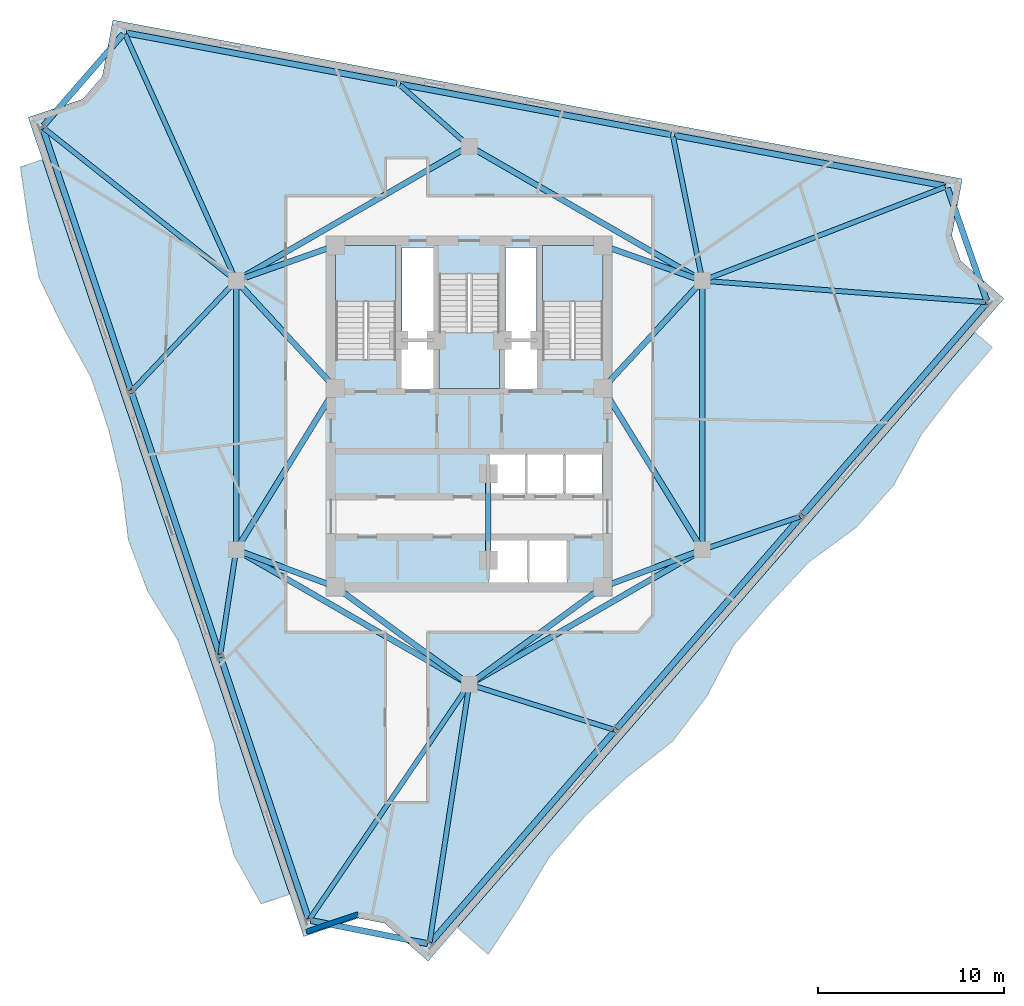
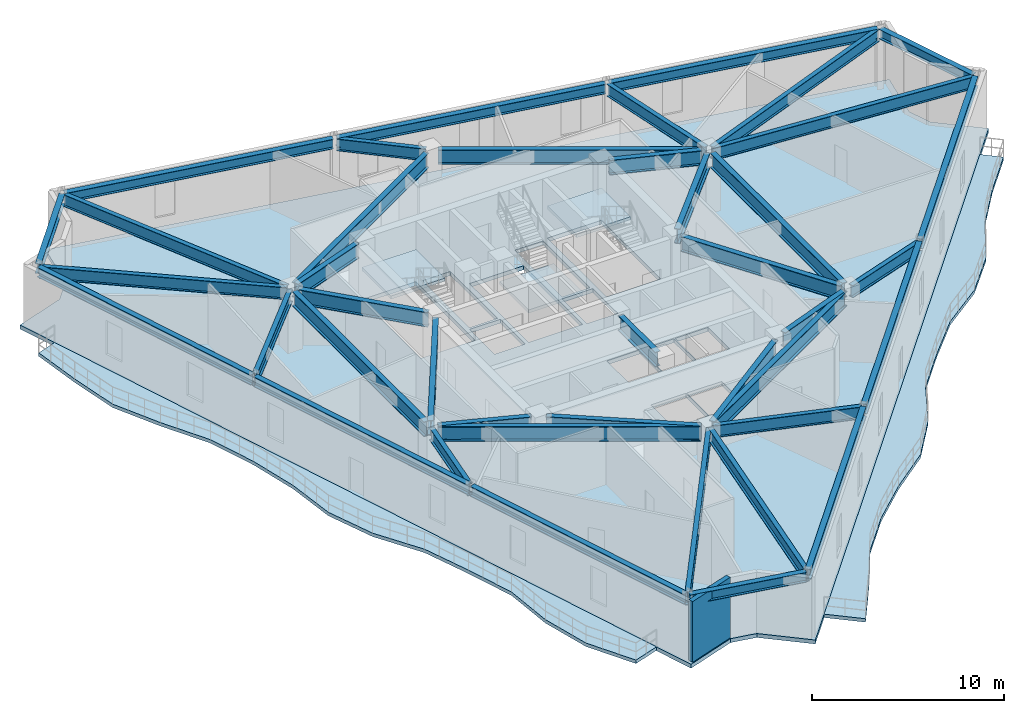
# One storey, part 3 of 10: 41 beams, 6 slabs, 1 wall, 3 elements without a shape of their own.
"""IFC4 building model written with IfcOpenShell, lengths in metres."""

from ifc_helpers import new_model, si_unit, direction, frame, frame_2d, origin, origin_2d, place, context, subcontext, project, spatial, polyline, rectangle, i_section, outline, extrude, material, layer, layer_set, material_profile, profile_set, type_object, element, aggregate, save


model = new_model("IFC4")

# Units and contexts
model_context = context("Model", 3, precision=1e-05, world=origin(), true_north=direction((0.0, 1.0)))
body_context = subcontext(model_context, "Body", "Model", "MODEL_VIEW")
ifc_project = project(units=[si_unit("LENGTHUNIT", "METRE"), si_unit("AREAUNIT", "SQUARE_METRE"), si_unit("VOLUMEUNIT", "CUBIC_METRE"), si_unit("PLANEANGLEUNIT", "RADIAN"), si_unit("MASSUNIT", "GRAM", prefix="KILO")], contexts=[model_context])

# Site, building, storey
site_placement = place(None, origin())
site = spatial("IfcSite", under=ifc_project, at=site_placement, CompositionType="ELEMENT")
building_placement = place(site_placement, origin())
building = spatial("IfcBuilding", under=site, at=building_placement, Name="Apsidion Concourse Tower", CompositionType="ELEMENT")
storey_placement = place(building_placement, frame((0.0, 0.0, 269.60009765625)))
storey = spatial("IfcBuildingStorey", under=building, at=storey_placement, Name="L63", CompositionType="ELEMENT", Elevation=269.60009765625)

# Beams
ifc_material_1 = material(Name="Structural steel ASTM A992 Grade 50", Category="steel")
ifc_material_profile_1 = material_profile(ifc_material_1, i_section(OverallWidth=0.31005859375, OverallDepth=0.931884765625, WebThickness=0.02099609375, FlangeThickness=0.034423828125, at=origin_2d()), Name="W36X210")
ifc_profile_set_1 = profile_set([ifc_material_profile_1], Name="Structural steel ASTM A992 Grade 50")
beam_type_1 = type_object("IfcBeamType", Name="BM-G-W36", PredefinedType="USERDEFINED", material=ifc_profile_set_1)
beam_1_placement = place(storey_placement, frame((-12.185302734375, -7.389892578125, 3.3837890625), z_axis=(0.936913021145, -0.349562570664, 0.0), x_axis=(0.349562570664, 0.936913021145, 0.0)))
element("IfcBeam", 1, at=beam_1_placement, inside=storey, type_object=beam_type_1, Name="L63 Core Coupling Girder IC1-SC1", ObjectType="GIRDER", PredefinedType="USERDEFINED", context=body_context, shape_type="SweptSolid", body=[
    extrude(i_section(OverallWidth=0.31005859375, OverallDepth=0.931884765625, WebThickness=0.02099609375, FlangeThickness=0.034423828125, at=origin_2d()), origin(), (0.0, 0.0, 1.0), 4.921142578125),
])
beam_2_placement = place(storey_placement, frame((-12.35009765625, -6.909423828125, 3.3837890625), z_axis=(0.524524009763, 0.851395656074, 0.0), x_axis=(-0.851395656074, 0.524524009763, 0.0)))
element("IfcBeam", 2, at=beam_2_placement, inside=storey, type_object=beam_type_1, Name="L63 Core Coupling Girder IC1-SC6", ObjectType="GIRDER", PredefinedType="USERDEFINED", context=body_context, shape_type="SweptSolid", body=[
    extrude(i_section(OverallWidth=0.31005859375, OverallDepth=0.931884765625, WebThickness=0.02099609375, FlangeThickness=0.034423828125, at=origin_2d()), origin(), (0.0, 0.0, 1.0), 9.41845703125),
])
beam_3_placement = place(storey_placement, frame((12.185302734375, -7.389892578125, 3.3837890625), z_axis=(-0.936913021145, -0.349562570664, 0.0), x_axis=(0.349562570664, -0.936913021145, 0.0)))
element("IfcBeam", 3, at=beam_3_placement, inside=storey, type_object=beam_type_1, Name="L63 Core Coupling Girder IC2-SC2", ObjectType="GIRDER", PredefinedType="USERDEFINED", context=body_context, shape_type="SweptSolid", body=[
    extrude(i_section(OverallWidth=0.31005859375, OverallDepth=0.931884765625, WebThickness=0.02099609375, FlangeThickness=0.034423828125, at=origin_2d()), origin(), (0.0, 0.0, 1.0), 4.921142578125),
])
beam_4_placement = place(storey_placement, frame((12.35009765625, -6.909423828125, 3.3837890625), z_axis=(-0.524524009763, 0.851395656074, 0.0), x_axis=(-0.851395656074, -0.524524009763, 0.0)))
element("IfcBeam", 4, at=beam_4_placement, inside=storey, type_object=beam_type_1, Name="L63 Core Coupling Girder IC2-SC3", ObjectType="GIRDER", PredefinedType="USERDEFINED", context=body_context, shape_type="SweptSolid", body=[
    extrude(i_section(OverallWidth=0.31005859375, OverallDepth=0.931884765625, WebThickness=0.02099609375, FlangeThickness=0.034423828125, at=origin_2d()), origin(), (0.0, 0.0, 1.0), 9.41845703125),
])
beam_5_placement = place(storey_placement, frame((12.28857421875, 6.956298828125, 3.3837890625), z_axis=(-0.678712876106, -0.73440372535, 0.0), x_axis=(0.73440372535, -0.678712876106, 0.0)))
element("IfcBeam", 5, at=beam_5_placement, inside=storey, type_object=beam_type_1, Name="L63 Core Coupling Girder IC3-SC3", ObjectType="GIRDER", PredefinedType="USERDEFINED", context=body_context, shape_type="SweptSolid", body=[
    extrude(i_section(OverallWidth=0.31005859375, OverallDepth=0.931884765625, WebThickness=0.02099609375, FlangeThickness=0.034423828125, at=origin_2d()), origin(), (0.0, 0.0, 1.0), 7.097412109375),
])
beam_6_placement = place(storey_placement, frame((12.18310546875, 7.383544921875, 3.3837890625), z_axis=(-0.942533844539, 0.334110688094, 0.0), x_axis=(-0.334110688094, -0.942533844539, 0.0)))
element("IfcBeam", 6, at=beam_6_placement, inside=storey, type_object=beam_type_1, Name="L63 Core Coupling Girder IC3-SC4", ObjectType="GIRDER", PredefinedType="USERDEFINED", context=body_context, shape_type="SweptSolid", body=[
    extrude(i_section(OverallWidth=0.31005859375, OverallDepth=0.931884765625, WebThickness=0.02099609375, FlangeThickness=0.034423828125, at=origin_2d()), origin(), (0.0, 0.0, 1.0), 4.886962890625),
])
beam_7_placement = place(storey_placement, frame((-12.28857421875, 6.956298828125, 3.3837890625), z_axis=(0.678712876106, -0.73440372535, 0.0), x_axis=(0.73440372535, 0.678712876106, 0.0)))
element("IfcBeam", 7, at=beam_7_placement, inside=storey, type_object=beam_type_1, Name="L63 Core Coupling Girder IC5-SC6", ObjectType="GIRDER", PredefinedType="USERDEFINED", context=body_context, shape_type="SweptSolid", body=[
    extrude(i_section(OverallWidth=0.31005859375, OverallDepth=0.931884765625, WebThickness=0.02099609375, FlangeThickness=0.034423828125, at=origin_2d()), origin(), (0.0, 0.0, 1.0), 7.097412109375),
])
beam_8_placement = place(storey_placement, frame((-12.18310546875, 7.383544921875, 3.3837890625), z_axis=(0.942533844539, 0.334110688094, 0.0), x_axis=(-0.334110688094, 0.942533844539, 0.0)))
element("IfcBeam", 8, at=beam_8_placement, inside=storey, type_object=beam_type_1, Name="L63 Core Coupling Girder IC5-SC5", ObjectType="GIRDER", PredefinedType="USERDEFINED", context=body_context, shape_type="SweptSolid", body=[
    extrude(i_section(OverallWidth=0.31005859375, OverallDepth=0.931884765625, WebThickness=0.02099609375, FlangeThickness=0.034423828125, at=origin_2d()), origin(), (0.0, 0.0, 1.0), 4.886962890625),
])
for number, where, z_axis, x_axis, name in (
    (9, (-0.3232421875, -14.264404296875, 3.3837890625), (-0.807993498909, 0.589191399905, 0.0), (-0.589191399905, -0.807993498909, 0.0), "L63 Core Coupling Girder IC6-SC1"),
    (10, (0.3232421875, -14.264404296875, 3.3837890625), (0.807993498909, 0.589191399905, 0.0), (-0.589191399905, 0.807993498909, 0.0), "L63 Core Coupling Girder IC6-SC2"),
):
    element("IfcBeam", number, at=place(storey_placement, frame(where, z_axis=z_axis, x_axis=x_axis)), inside=storey, type_object=beam_type_1, Name=name, ObjectType="GIRDER", PredefinedType="USERDEFINED", context=body_context, shape_type="SweptSolid", body=[
        extrude(i_section(OverallWidth=0.31005859375, OverallDepth=0.931884765625, WebThickness=0.02099609375, FlangeThickness=0.034423828125, at=origin_2d()), origin(), (0.0, 0.0, 1.0), 8.11083984375),
    ])
beam_9_placement = place(storey_placement, frame((-12.56005859375, -6.85009765625, 3.3837890625), z_axis=(0.0, 1.0, 0.0), x_axis=(-1.0, 0.0, 0.0)))
element("IfcBeam", 11, at=beam_9_placement, inside=storey, type_object=beam_type_1, Name="L63 Core Coupling Girder IC1-IC5", ObjectType="GIRDER", PredefinedType="USERDEFINED", context=body_context, shape_type="SweptSolid", body=[
    extrude(i_section(OverallWidth=0.31005859375, OverallDepth=0.931884765625, WebThickness=0.02099609375, FlangeThickness=0.034423828125, at=origin_2d()), origin(), (0.0, 0.0, 1.0), 13.7001953125),
])
for number, where, z_axis, x_axis, name in (
    (12, (-12.213623046875, 7.449951171875, 3.3837890625), (0.866070471464, 0.499921932364, 0.0), (-0.499921932364, 0.866070471464, 0.0), "L63 Core Coupling Girder IC5-IC4"),
    (13, (0.346435546875, 14.300048828125, 3.3837890625), (0.866070471464, -0.499921932364, 0.0), (0.499921932364, 0.866070471464, 0.0), "L63 Core Coupling Girder IC4-IC3"),
):
    element("IfcBeam", number, at=place(storey_placement, frame(where, z_axis=z_axis, x_axis=x_axis)), inside=storey, type_object=beam_type_1, Name=name, ObjectType="GIRDER", PredefinedType="USERDEFINED", context=body_context, shape_type="SweptSolid", body=[
        extrude(i_section(OverallWidth=0.31005859375, OverallDepth=0.931884765625, WebThickness=0.02099609375, FlangeThickness=0.034423828125, at=origin_2d()), origin(), (0.0, 0.0, 1.0), 13.702392578125),
    ])
beam_10_placement = place(storey_placement, frame((12.56005859375, 6.85009765625, 3.3837890625), z_axis=(0.0, -1.0, 0.0), x_axis=(1.0, 0.0, 0.0)))
element("IfcBeam", 14, at=beam_10_placement, inside=storey, type_object=beam_type_1, Name="L63 Core Coupling Girder IC3-IC2", ObjectType="GIRDER", PredefinedType="USERDEFINED", context=body_context, shape_type="SweptSolid", body=[
    extrude(i_section(OverallWidth=0.31005859375, OverallDepth=0.931884765625, WebThickness=0.02099609375, FlangeThickness=0.034423828125, at=origin_2d()), origin(), (0.0, 0.0, 1.0), 13.7001953125),
])
for number, where, z_axis, x_axis, name in (
    (15, (12.213623046875, -7.449951171875, 3.3837890625), (-0.866070471464, -0.499921932364, 0.0), (0.499921932364, -0.866070471464, 0.0), "L63 Core Coupling Girder IC2-IC6"),
    (16, (-0.346435546875, -14.300048828125, 3.3837890625), (-0.866070471464, 0.499921932364, 0.0), (-0.499921932364, -0.866070471464, 0.0), "L63 Core Coupling Girder IC6-IC1"),
):
    element("IfcBeam", number, at=place(storey_placement, frame(where, z_axis=z_axis, x_axis=x_axis)), inside=storey, type_object=beam_type_1, Name=name, ObjectType="GIRDER", PredefinedType="USERDEFINED", context=body_context, shape_type="SweptSolid", body=[
        extrude(i_section(OverallWidth=0.31005859375, OverallDepth=0.931884765625, WebThickness=0.02099609375, FlangeThickness=0.034423828125, at=origin_2d()), origin(), (0.0, 0.0, 1.0), 13.702392578125),
    ])
beam_11_placement = place(storey_placement, frame((1.02490234375, -3.550048828125, 3.3837890625), z_axis=(0.0, -1.0, 0.0), x_axis=(1.0, 0.0, 0.0)))
element("IfcBeam", 17, at=beam_11_placement, inside=storey, type_object=beam_type_1, Name="L63 Core Coupling Girder CC5-CC6", ObjectType="GIRDER", PredefinedType="USERDEFINED", context=body_context, shape_type="SweptSolid", body=[
    extrude(i_section(OverallWidth=0.31005859375, OverallDepth=0.931884765625, WebThickness=0.02099609375, FlangeThickness=0.034423828125, at=origin_2d()), origin(), (0.0, 0.0, 1.0), 3.849853515625),
])
ifc_material_profile_2 = material_profile(ifc_material_1, i_section(OverallWidth=0.324951171875, OverallDepth=0.616943359375, WebThickness=0.013916015625, FlangeThickness=0.021484375, at=origin_2d()), Name="W24X117")
ifc_profile_set_2 = profile_set([ifc_material_profile_2], Name="Structural steel ASTM A992 Grade 50")
beam_type_2 = type_object("IfcBeamType", Name="BM-SP-W24", PredefinedType="SPANDREL", material=ifc_profile_set_2)
for number, where, z_axis, x_axis, name in (
    (18, (-22.97265625, 15.436279296875, 3.54150390625), (0.318681523158, -0.947861850059, 0.0), (0.947861850059, 0.318681523158, 0.0), "L63 Perimeter Spandrel Girder SP-01"),
    (19, (-18.18310546875, 1.191162109375, 3.54150390625), (0.318661757859, -0.94786849514, 0.0), (0.94786849514, 0.318661757859, 0.0), "L63 Perimeter Spandrel Girder SP-02"),
    (20, (-13.393798828125, -13.05419921875, 3.54150390625), (0.318681523158, -0.947861850059, 0.0), (0.947861850059, 0.318681523158, 0.0), "L63 Perimeter Spandrel Girder SP-03"),
):
    element("IfcBeam", number, at=place(storey_placement, frame(where, z_axis=z_axis, x_axis=x_axis)), inside=storey, type_object=beam_type_2, Name=name, PredefinedType="SPANDREL", context=body_context, shape_type="SweptSolid", body=[
        extrude(i_section(OverallWidth=0.324951171875, OverallDepth=0.616943359375, WebThickness=0.013916015625, FlangeThickness=0.021484375, at=origin_2d()), origin(), (0.0, 0.0, 1.0), 14.82861328125),
    ])
beam_12_placement = place(storey_placement, frame((-8.538330078125, -27.223876953125, 3.54150390625), z_axis=(0.980920203242, -0.194410788981, 0.0), x_axis=(0.194410788981, 0.980920203242, 0.0)))
element("IfcBeam", 21, at=beam_12_placement, inside=storey, type_object=beam_type_2, Name="L63 Perimeter Spandrel Girder SP-04", PredefinedType="SPANDREL", context=body_context, shape_type="SweptSolid", body=[
    extrude(i_section(OverallWidth=0.324951171875, OverallDepth=0.616943359375, WebThickness=0.013916015625, FlangeThickness=0.021484375, at=origin_2d()), origin(), (0.0, 0.0, 1.0), 6.415771484375),
])
beam_13_placement = place(storey_placement, frame((-2.081298828125, -28.4150390625, 3.54150390625), z_axis=(0.656066832384, 0.754702796766, 0.0), x_axis=(-0.754702796766, 0.656066832384, 0.0)))
element("IfcBeam", 22, at=beam_13_placement, inside=storey, type_object=beam_type_2, Name="L63 Perimeter Spandrel Girder SP-05", PredefinedType="SPANDREL", context=body_context, shape_type="SweptSolid", body=[
    extrude(i_section(OverallWidth=0.324951171875, OverallDepth=0.616943359375, WebThickness=0.013916015625, FlangeThickness=0.021484375, at=origin_2d()), origin(), (0.0, 0.0, 1.0), 15.07373046875),
])
for number, where, z_axis, x_axis, name in (
    (23, (7.939208984375, -16.8876953125, 3.54150390625), (0.656074851848, 0.754695825332, 0.0), (-0.754695825332, 0.656074851848, 0.0), "L63 Perimeter Spandrel Girder SP-06"),
    (24, (17.959716796875, -5.360595703125, 3.54150390625), (0.656065626683, 0.754703844885, 0.0), (-0.754703844885, 0.656065626683, 0.0), "L63 Perimeter Spandrel Girder SP-07"),
):
    element("IfcBeam", number, at=place(storey_placement, frame(where, z_axis=z_axis, x_axis=x_axis)), inside=storey, type_object=beam_type_2, Name=name, PredefinedType="SPANDREL", context=body_context, shape_type="SweptSolid", body=[
        extrude(i_section(OverallWidth=0.324951171875, OverallDepth=0.616943359375, WebThickness=0.013916015625, FlangeThickness=0.021484375, at=origin_2d()), origin(), (0.0, 0.0, 1.0), 15.073486328125),
    ])
beam_14_placement = place(storey_placement, frame((27.881591796875, 6.185302734375, 3.54150390625), z_axis=(-0.328995813691, 0.944331379641, 0.0), x_axis=(-0.944331379641, -0.328995813691, 0.0)))
element("IfcBeam", 25, at=beam_14_placement, inside=storey, type_object=beam_type_2, Name="L63 Perimeter Spandrel Girder SP-08", PredefinedType="SPANDREL", context=body_context, shape_type="SweptSolid", body=[
    extrude(i_section(OverallWidth=0.324951171875, OverallDepth=0.616943359375, WebThickness=0.013916015625, FlangeThickness=0.021484375, at=origin_2d()), origin(), (0.0, 0.0, 1.0), 6.416015625),
])
beam_15_placement = place(storey_placement, frame((25.639404296875, 12.35693359375, 3.54150390625), z_axis=(-0.982990339522, 0.183657268861, 0.0), x_axis=(-0.183657268861, -0.982990339522, 0.0)))
element("IfcBeam", 26, at=beam_15_placement, inside=storey, type_object=beam_type_2, Name="L63 Perimeter Spandrel Girder SP-09", PredefinedType="SPANDREL", context=body_context, shape_type="SweptSolid", body=[
    extrude(i_section(OverallWidth=0.324951171875, OverallDepth=0.616943359375, WebThickness=0.013916015625, FlangeThickness=0.021484375, at=origin_2d()), origin(), (0.0, 0.0, 1.0), 14.82861328125),
])
for number, where, z_axis, x_axis, name in (
    (27, (10.866455078125, 15.1171875, 3.54150390625), (-0.982990894844, 0.183654296586, 0.0), (-0.183654296586, -0.982990894844, 0.0), "L63 Perimeter Spandrel Girder SP-10"),
    (28, (-3.90673828125, 17.877197265625, 3.54150390625), (-0.982990894844, 0.183654296586, 0.0), (-0.183654296586, -0.982990894844, 0.0), "L63 Perimeter Spandrel Girder SP-11"),
):
    element("IfcBeam", number, at=place(storey_placement, frame(where, z_axis=z_axis, x_axis=x_axis)), inside=storey, type_object=beam_type_2, Name=name, PredefinedType="SPANDREL", context=body_context, shape_type="SweptSolid", body=[
        extrude(i_section(OverallWidth=0.324951171875, OverallDepth=0.616943359375, WebThickness=0.013916015625, FlangeThickness=0.021484375, at=origin_2d()), origin(), (0.0, 0.0, 1.0), 14.828857421875),
    ])
beam_16_placement = place(storey_placement, frame((-18.647216796875, 20.543701171875, 3.54150390625), z_axis=(-0.656065057343, -0.754704339814, 0.0), x_axis=(0.754704339814, -0.656065057343, 0.0)))
element("IfcBeam", 29, at=beam_16_placement, inside=storey, type_object=beam_type_2, Name="L63 Perimeter Spandrel Girder SP-12", PredefinedType="SPANDREL", context=body_context, shape_type="SweptSolid", body=[
    extrude(i_section(OverallWidth=0.324951171875, OverallDepth=0.616943359375, WebThickness=0.013916015625, FlangeThickness=0.021484375, at=origin_2d()), origin(), (0.0, 0.0, 1.0), 6.541748046875),
])
ifc_material_profile_3 = material_profile(ifc_material_1, i_section(OverallWidth=0.26806640625, OverallDepth=0.77001953125, WebThickness=0.015625, FlangeThickness=0.025390625, at=origin_2d()), Name="W30X132")
ifc_profile_set_3 = profile_set([ifc_material_profile_3], Name="Structural steel ASTM A992 Grade 50")
beam_type_3 = type_object("IfcBeamType", Name="BM-SP-W30", PredefinedType="SPANDREL", material=ifc_profile_set_3)
beam_17_placement = place(storey_placement, frame((-12.732421875, 7.38671875, 3.46484375), z_axis=(-0.783584000329, 0.621285855648, 0.0), x_axis=(-0.621285855648, -0.783584000329, 0.0)))
element("IfcBeam", 30, at=beam_17_placement, inside=storey, type_object=beam_type_3, Name="L63 Radial Floor Girder RAD-01", PredefinedType="SPANDREL", context=body_context, shape_type="SweptSolid", body=[
    extrude(i_section(OverallWidth=0.26806640625, OverallDepth=0.77001953125, WebThickness=0.015625, FlangeThickness=0.025390625, at=origin_2d()), origin(), (0.0, 0.0, 1.0), 13.009033203125),
])
beam_18_placement = place(storey_placement, frame((-12.71142578125, 7.09033203125, 3.46484375), z_axis=(-0.688064364837, -0.72564966054, 0.0), x_axis=(0.72564966054, -0.688064364837, 0.0)))
element("IfcBeam", 31, at=beam_18_placement, inside=storey, type_object=beam_type_3, Name="L63 Radial Floor Girder RAD-02", PredefinedType="SPANDREL", context=body_context, shape_type="SweptSolid", body=[
    extrude(i_section(OverallWidth=0.26806640625, OverallDepth=0.77001953125, WebThickness=0.015625, FlangeThickness=0.025390625, at=origin_2d()), origin(), (0.0, 0.0, 1.0), 7.898681640625),
])
beam_19_placement = place(storey_placement, frame((-12.593017578125, -7.467529296875, 3.46484375), z_axis=(-0.149944598724, -0.988694400365, 0.0), x_axis=(0.988694400365, -0.149944598724, 0.0)))
element("IfcBeam", 32, at=beam_19_placement, inside=storey, type_object=beam_type_3, Name="L63 Radial Floor Girder RAD-03", PredefinedType="SPANDREL", context=body_context, shape_type="SweptSolid", body=[
    extrude(i_section(OverallWidth=0.26806640625, OverallDepth=0.77001953125, WebThickness=0.015625, FlangeThickness=0.025390625, at=origin_2d()), origin(), (0.0, 0.0, 1.0), 5.45458984375),
])
beam_20_placement = place(storey_placement, frame((-0.123779296875, -14.681884765625, 3.46484375), z_axis=(-0.56217993865, -0.827014943383, 0.0), x_axis=(0.827014943383, -0.56217993865, 0.0)))
element("IfcBeam", 33, at=beam_20_placement, inside=storey, type_object=beam_type_3, Name="L63 Radial Floor Girder RAD-04", PredefinedType="SPANDREL", context=body_context, shape_type="SweptSolid", body=[
    extrude(i_section(OverallWidth=0.26806640625, OverallDepth=0.77001953125, WebThickness=0.015625, FlangeThickness=0.025390625, at=origin_2d()), origin(), (0.0, 0.0, 1.0), 15.0419921875),
])
beam_21_placement = place(storey_placement, frame((-0.033447265625, -14.717529296875, 3.46484375), z_axis=(-0.151664637663, -0.988432009641, 0.0), x_axis=(0.988432009641, -0.151664637663, 0.0)))
element("IfcBeam", 34, at=beam_21_placement, inside=storey, type_object=beam_type_3, Name="L63 Radial Floor Girder RAD-05", PredefinedType="SPANDREL", context=body_context, shape_type="SweptSolid", body=[
    extrude(i_section(OverallWidth=0.26806640625, OverallDepth=0.77001953125, WebThickness=0.015625, FlangeThickness=0.025390625, at=origin_2d()), origin(), (0.0, 0.0, 1.0), 13.833984375),
])
beam_22_placement = place(storey_placement, frame((0.2099609375, -14.565673828125, 3.46484375), z_axis=(0.954387901166, -0.298569479532, 0.0), x_axis=(0.298569479532, 0.954387901166, 0.0)))
element("IfcBeam", 35, at=beam_22_placement, inside=storey, type_object=beam_type_3, Name="L63 Radial Floor Girder RAD-06", PredefinedType="SPANDREL", context=body_context, shape_type="SweptSolid", body=[
    extrude(i_section(OverallWidth=0.26806640625, OverallDepth=0.77001953125, WebThickness=0.015625, FlangeThickness=0.025390625, at=origin_2d()), origin(), (0.0, 0.0, 1.0), 7.93017578125),
])
beam_23_placement = place(storey_placement, frame((12.768310546875, -7.17919921875, 3.46484375), z_axis=(0.946764063089, 0.321928266612, 0.0), x_axis=(-0.321928266612, 0.946764063089, 0.0)))
element("IfcBeam", 36, at=beam_23_placement, inside=storey, type_object=beam_type_3, Name="L63 Radial Floor Girder RAD-07", PredefinedType="SPANDREL", context=body_context, shape_type="SweptSolid", body=[
    extrude(i_section(OverallWidth=0.26806640625, OverallDepth=0.77001953125, WebThickness=0.015625, FlangeThickness=0.025390625, at=origin_2d()), origin(), (0.0, 0.0, 1.0), 5.31396484375),
])
beam_24_placement = place(storey_placement, frame((12.779296875, 7.2333984375, 3.46484375), z_axis=(0.997162813541, -0.075274984495, 0.0), x_axis=(0.075274984495, 0.997162813541, 0.0)))
element("IfcBeam", 37, at=beam_24_placement, inside=storey, type_object=beam_type_3, Name="L63 Radial Floor Girder RAD-08", PredefinedType="SPANDREL", context=body_context, shape_type="SweptSolid", body=[
    extrude(i_section(OverallWidth=0.26806640625, OverallDepth=0.77001953125, WebThickness=0.015625, FlangeThickness=0.025390625, at=origin_2d()), origin(), (0.0, 0.0, 1.0), 15.078125),
])
beam_25_placement = place(storey_placement, frame((12.76513671875, 7.3291015625, 3.46484375), z_axis=(0.932864861943, 0.360226525053, 0.0), x_axis=(-0.360226525053, 0.932864861943, 0.0)))
element("IfcBeam", 38, at=beam_25_placement, inside=storey, type_object=beam_type_3, Name="L63 Radial Floor Girder RAD-09", PredefinedType="SPANDREL", context=body_context, shape_type="SweptSolid", body=[
    extrude(i_section(OverallWidth=0.26806640625, OverallDepth=0.77001953125, WebThickness=0.015625, FlangeThickness=0.025390625, at=origin_2d()), origin(), (0.0, 0.0, 1.0), 13.806396484375),
])
beam_26_placement = place(storey_placement, frame((12.51611328125, 7.465576171875, 3.46484375), z_axis=(-0.199174271345, 0.97996408589, 0.0), x_axis=(-0.97996408589, -0.199174271345, 0.0)))
element("IfcBeam", 39, at=beam_26_placement, inside=storey, type_object=beam_type_3, Name="L63 Radial Floor Girder RAD-10", PredefinedType="SPANDREL", context=body_context, shape_type="SweptSolid", body=[
    extrude(i_section(OverallWidth=0.26806640625, OverallDepth=0.77001953125, WebThickness=0.015625, FlangeThickness=0.025390625, at=origin_2d()), origin(), (0.0, 0.0, 1.0), 7.689208984375),
])
beam_27_placement = place(storey_placement, frame((-0.1650390625, 14.6455078125, 3.46484375), z_axis=(-0.749977100091, 0.661463792917, 0.0), x_axis=(-0.661463792917, -0.749977100091, 0.0)))
element("IfcBeam", 40, at=beam_27_placement, inside=storey, type_object=beam_type_3, Name="L63 Radial Floor Girder RAD-11", PredefinedType="SPANDREL", context=body_context, shape_type="SweptSolid", body=[
    extrude(i_section(OverallWidth=0.26806640625, OverallDepth=0.77001953125, WebThickness=0.015625, FlangeThickness=0.025390625, at=origin_2d()), origin(), (0.0, 0.0, 1.0), 4.758056640625),
])
beam_28_placement = place(storey_placement, frame((-12.650390625, 7.45068359375, 3.46484375), z_axis=(-0.410678909967, 0.911780035375, 0.0), x_axis=(-0.911780035375, -0.410678909967, 0.0)))
element("IfcBeam", 41, at=beam_28_placement, inside=storey, type_object=beam_type_3, Name="L63 Radial Floor Girder RAD-12", PredefinedType="SPANDREL", context=body_context, shape_type="SweptSolid", body=[
    extrude(i_section(OverallWidth=0.26806640625, OverallDepth=0.77001953125, WebThickness=0.015625, FlangeThickness=0.025390625, at=origin_2d()), origin(), (0.0, 0.0, 1.0), 14.342529296875),
])

# Slabs
ifc_material_2 = material(Name="Concrete C50/60", Category="concrete")
ifc_layer_1 = layer(ifc_material_2, 0.219970703125)
ifc_layer_set_1 = layer_set([ifc_layer_1], Name="Concrete C50/60")
slab_type_1 = type_object("IfcSlabType", Name="SL-BAL-220", PredefinedType="FLOOR", material=ifc_layer_set_1)
slab_1_placement = place(storey_placement, frame((0.0, 0.0, -0.22021484375)))
element("IfcSlab", 42, at=slab_1_placement, inside=storey, type_object=slab_type_1, Name="L63 Face 1 Rippling Balcony Slab", PredefinedType="FLOOR", context=body_context, shape_type="SweptSolid", body=[
    extrude(outline(polyline([(-22.99951171875, 13.775390625), (-22.048095703125, 10.947998046875), (-21.096923828125, 8.12060546875), (-20.1455078125, 5.29345703125), (-19.1943359375, 2.466064453125), (-18.242919921875, -0.361083984375), (-17.291748046875, -3.1884765625), (-16.340576171875, -6.015869140625), (-15.38916015625, -8.843017578125), (-14.43798828125, -11.67041015625), (-13.486572265625, -14.49755859375), (-12.535400390625, -17.324951171875), (-11.583984375, -20.152099609375), (-10.6328125, -22.9794921875), (-9.681396484375, -25.806884765625), (-11.2080078125, -26.3203125), (-12.689208984375, -23.67138671875), (-13.45263671875, -20.781005859375), (-13.7275390625, -17.72607421875), (-14.67138671875, -14.896240234375), (-15.705810546875, -12.096923828125), (-17.31640625, -9.491455078125), (-18.3671875, -6.697509765625), (-18.736083984375, -3.674560546875), (-19.427734375, -0.759765625), (-20.37890625, 2.0673828125), (-21.86181640625, 4.716064453125), (-23.181884765625, 7.419189453125), (-23.749267578125, 10.375732421875), (-24.18408203125, 13.376708984375), (-22.99951171875, 13.775390625)])), origin(), (0.0, 0.0, 1.0), 0.22021484375),
])
slab_2_placement = place(storey_placement, frame((0.0, 0.0, -0.22021484375)))
element("IfcSlab", 43, at=slab_2_placement, inside=storey, type_object=slab_type_1, Name="L63 Face 2 Rippling Balcony Slab", PredefinedType="FLOOR", context=body_context, shape_type="SweptSolid", body=[
    extrude(outline(polyline([(-0.6416015625, -27.59716796875), (1.35009765625, -25.30615234375), (3.341552734375, -23.01513671875), (5.3330078125, -20.724365234375), (7.324462890625, -18.433349609375), (9.31591796875, -16.142333984375), (11.307373046875, -13.8515625), (13.298828125, -11.560546875), (15.290283203125, -9.26953125), (17.281982421875, -6.978759765625), (19.273193359375, -4.687744140625), (21.264892578125, -2.396728515625), (23.25634765625, -0.10595703125), (25.247802734375, 2.18505859375), (27.2392578125, 4.47607421875), (28.1826171875, 3.656005859375), (26.191162109375, 1.364990234375), (24.344482421875, -1.0517578125), (22.853759765625, -3.778076171875), (20.8349609375, -6.045166015625), (18.322265625, -7.883056640625), (16.23388671875, -10.089599609375), (14.2421875, -12.380615234375), (12.7939453125, -15.143798828125), (10.950927734375, -17.563720703125), (8.521484375, -19.47412109375), (6.2763671875, -21.54443359375), (4.284912109375, -23.835205078125), (2.701171875, -26.480712890625), (1.018798828125, -29.040283203125), (-0.6416015625, -27.59716796875)])), origin(), (0.0, 0.0, 1.0), 0.22021484375),
])
ifc_layer_2 = layer(ifc_material_2, 0.25)
ifc_layer_set_2 = layer_set([ifc_layer_2], Name="Concrete C50/60")
slab_type_2 = type_object("IfcSlabType", Name="SL-FLR-250", PredefinedType="FLOOR", material=ifc_layer_set_2)
slab_3_placement = place(storey_placement, frame((0.0, 0.0, -0.25)))
element("IfcSlab", 44, at=slab_3_placement, inside=storey, type_object=slab_type_2, Name="L63 Structural Floor Slab", PredefinedType="FLOOR", context=body_context, shape_type="SweptSolid", body=[
    extrude(outline(polyline([(-19.201416015625, 21.2998046875), (-19.771484375, 18.251220703125), (-20.825439453125, 17.0390625), (-23.764892578125, 16.050048828125), (-8.916015625, -28.08154296875), (-5.976806640625, -27.092529296875), (-4.556640625, -27.373779296875), (-2.216064453125, -29.408447265625), (28.813720703125, 6.287353515625), (26.47314453125, 8.322021484375), (25.9970703125, 9.689208984375), (26.5673828125, 12.737548828125), (-19.201416015625, 21.2998046875)]), holes=[polyline([(-3.949951171875, 3.0), (-3.949951171875, 9.14990234375), (-7.199951171875, 9.14990234375), (-7.199951171875, 3.0), (-3.949951171875, 3.0)]), polyline([(7.199951171875, 3.0), (7.199951171875, 9.14990234375), (3.949951171875, 9.14990234375), (3.949951171875, 3.0), (7.199951171875, 3.0)]), polyline([(-1.625, 7.60009765625), (-1.625, 1.449951171875), (1.625, 1.449951171875), (1.625, 7.60009765625), (-1.625, 7.60009765625)]), polyline([(1.054931640625, -4.300048828125), (3.044921875, -4.300048828125), (3.044921875, -2.050048828125), (1.054931640625, -2.050048828125), (1.054931640625, -4.300048828125)]), polyline([(3.10498046875, -4.300048828125), (5.094970703125, -4.300048828125), (5.094970703125, -2.050048828125), (3.10498046875, -2.050048828125), (3.10498046875, -4.300048828125)]), polyline([(5.155029296875, -4.300048828125), (7.14501953125, -4.300048828125), (7.14501953125, -2.050048828125), (5.155029296875, -2.050048828125), (5.155029296875, -4.300048828125)]), polyline([(1.044921875, -9.0), (3.155029296875, -9.0), (3.155029296875, -6.64990234375), (1.044921875, -6.64990234375), (1.044921875, -9.0)]), polyline([(3.195068359375, -9.0), (5.304931640625, -9.0), (5.304931640625, -6.64990234375), (3.195068359375, -6.64990234375), (3.195068359375, -9.0)]), polyline([(-3.7099609375, 1.39990234375), (-1.85009765625, 1.39990234375), (-1.85009765625, 4.0), (-3.7099609375, 4.0), (-3.7099609375, 1.39990234375)]), polyline([(1.85009765625, 1.39990234375), (3.7099609375, 1.39990234375), (3.7099609375, 4.0), (1.85009765625, 4.0), (1.85009765625, 1.39990234375)]), polyline([(-3.6201171875, 4.14990234375), (-1.93994140625, 4.14990234375), (-1.93994140625, 9.050048828125), (-3.6201171875, 9.050048828125), (-3.6201171875, 4.14990234375)]), polyline([(1.93994140625, 4.14990234375), (3.6201171875, 4.14990234375), (3.6201171875, 9.050048828125), (1.93994140625, 9.050048828125), (1.93994140625, 4.14990234375)])]), origin(), (0.0, 0.0, 1.0), 0.25),
])

# Stair, slab
ifc_material_3 = material(Name="Precast concrete C40/50", Category="concrete")
stair_type = type_object("IfcStairType", Name="ST-DL-1550", PredefinedType="HALF_TURN_STAIR", material=ifc_material_3)
stair_1_placement = place(storey_placement, origin())
stair_1 = element("IfcStair", 45, at=stair_1_placement, inside=storey, type_object=stair_type, Name="L63 Protected Core Exit Stair ST1", PredefinedType="HALF_TURN_STAIR")
ifc_layer_3 = layer(ifc_material_2, 0.199951171875)
ifc_layer_set_3 = layer_set([ifc_layer_3], Name="Concrete C50/60")
slab_type_3 = type_object("IfcSlabType", Name="SL-ST-LAND-200", PredefinedType="LANDING", material=ifc_layer_set_3)
slab_4_placement = place(storey_placement, frame((0.0, 0.0, 1.849853515625)))
slab_4 = element("IfcSlab", 46, at=slab_4_placement, type_object=slab_type_3, Name="ST1 landing 1", PredefinedType="LANDING", context=body_context, shape_type="SweptSolid", body=[
    extrude(outline(polyline([(-3.949951171875, 6.135009765625), (-3.949951171875, 9.14990234375), (-7.199951171875, 9.14990234375), (-7.199951171875, 6.135009765625), (-3.949951171875, 6.135009765625)])), origin(), (0.0, 0.0, 1.0), 0.199951171875),
])
aggregate(stair_1, [slab_4])

stair_2_placement = place(storey_placement, origin())
stair_2 = element("IfcStair", 47, at=stair_2_placement, inside=storey, type_object=stair_type, Name="L63 Protected Core Exit Stair ST2", PredefinedType="HALF_TURN_STAIR")
slab_5_placement = place(storey_placement, frame((0.0, 0.0, 1.849853515625)))
slab_5 = element("IfcSlab", 48, at=slab_5_placement, type_object=slab_type_3, Name="ST2 landing 1", PredefinedType="LANDING", context=body_context, shape_type="SweptSolid", body=[
    extrude(outline(polyline([(7.199951171875, 6.135009765625), (7.199951171875, 9.14990234375), (3.949951171875, 9.14990234375), (3.949951171875, 6.135009765625), (7.199951171875, 6.135009765625)])), origin(), (0.0, 0.0, 1.0), 0.199951171875),
])
aggregate(stair_2, [slab_5])

stair_3_placement = place(storey_placement, origin())
stair_3 = element("IfcStair", 49, at=stair_3_placement, inside=storey, type_object=stair_type, Name="L63 Protected Core Exit Stair ST3", PredefinedType="HALF_TURN_STAIR")
slab_6_placement = place(storey_placement, frame((0.0, 0.0, 1.849853515625)))
slab_6 = element("IfcSlab", 50, at=slab_6_placement, type_object=slab_type_3, Name="ST3 landing 1", PredefinedType="LANDING", context=body_context, shape_type="SweptSolid", body=[
    extrude(outline(polyline([(-1.625, 4.465087890625), (-1.625, 1.449951171875), (1.625, 1.449951171875), (1.625, 4.465087890625), (-1.625, 4.465087890625)])), origin(), (0.0, 0.0, 1.0), 0.199951171875),
])
aggregate(stair_3, [slab_6])

# Wall
ifc_layer_4 = layer(ifc_material_3, 0.280029296875)
ifc_layer_set_4 = layer_set([ifc_layer_4], Name="Precast concrete C40/50")
wall_type = type_object("IfcWallType", Name="WL-EXT-280", PredefinedType="STANDARD", material=ifc_layer_set_4)
wall_placement = place(storey_placement, frame((-5.989990234375, -26.885986328125, 0.0), z_axis=(0.0, 0.0, 1.0), x_axis=(-0.947795421507, -0.318879035013, 0.0)))
element("IfcWall", 51, at=wall_placement, inside=storey, type_object=wall_type, Name="L63 Precast Stone Facade Wall 08", PredefinedType="STANDARD", context=body_context, shape_type="SweptSolid", body=[
    extrude(rectangle(XDim=2.95458984375, YDim=0.280029296875, at=frame_2d((1.477294921875, 0.0))), origin(), (0.0, 0.0, 1.0), 3.849853515625),
])

save(model, "model.ifc")
